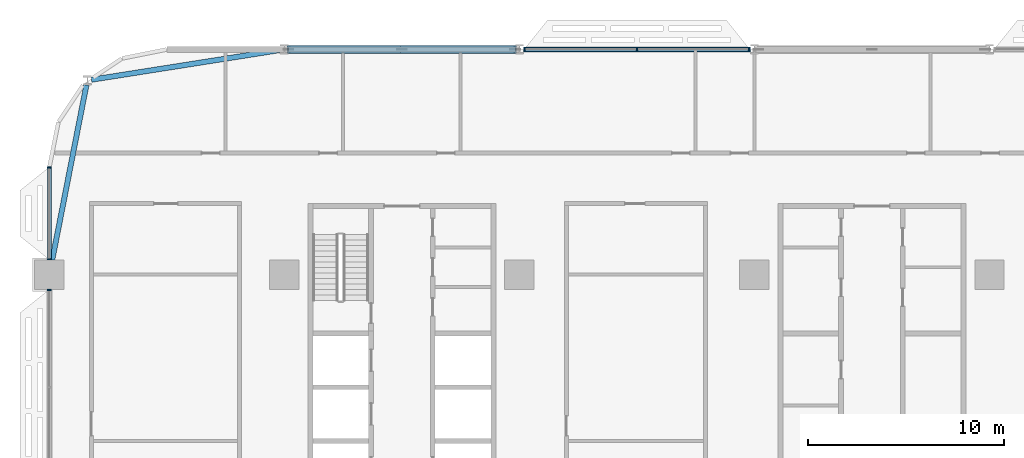
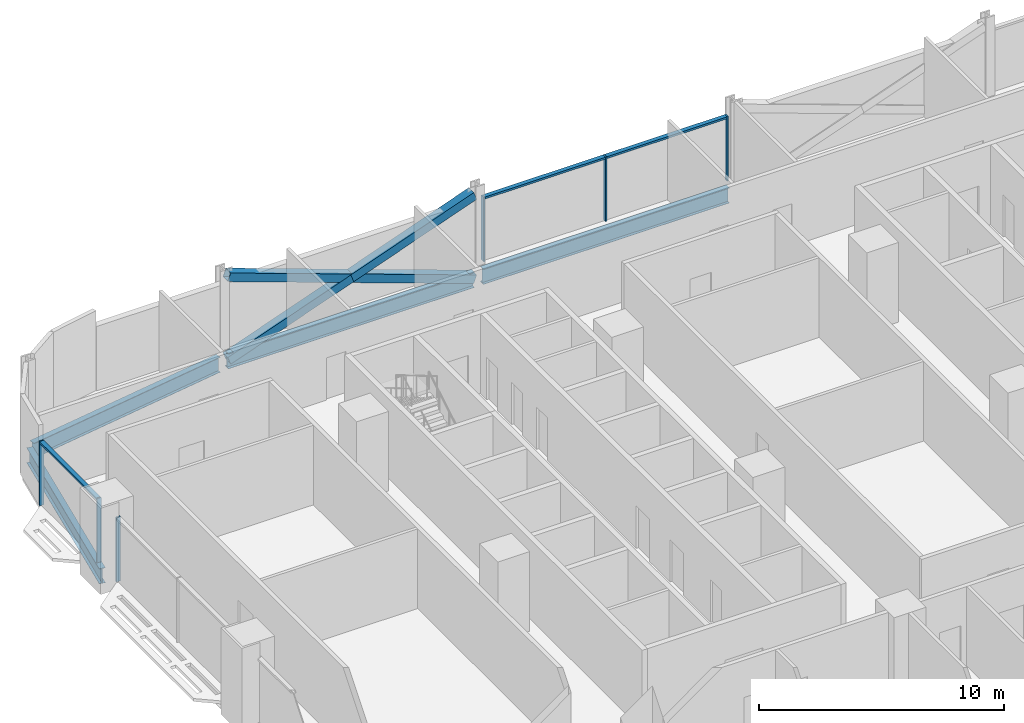
# One storey, part 6 of 30: 12 members, 4 beams, 3 elements without a shape of their own.
"""IFC4 building model written with IfcOpenShell, lengths in metres."""

from ifc_helpers import new_model, si_unit, direction, frame, origin, origin_2d, place, context, subcontext, project, spatial, rectangle, hollow_rectangle, i_section, extrude, material, material_profile, profile_set, type_object, element, aggregate, save


model = new_model("IFC4")

# Units and contexts
model_context = context("Model", 3, precision=1e-05, world=origin(), true_north=direction((0.0, 1.0)))
body_context = subcontext(model_context, "Body", "Model", "MODEL_VIEW")
ifc_project = project(units=[si_unit("LENGTHUNIT", "METRE"), si_unit("AREAUNIT", "SQUARE_METRE"), si_unit("VOLUMEUNIT", "CUBIC_METRE"), si_unit("PLANEANGLEUNIT", "RADIAN"), si_unit("MASSUNIT", "GRAM", prefix="KILO")], contexts=[model_context])

# Site, building, storey
site_placement = place(None, origin())
site = spatial("IfcSite", under=ifc_project, at=site_placement, CompositionType="ELEMENT")
building_placement = place(site_placement, origin())
building = spatial("IfcBuilding", under=site, at=building_placement, Name="Mahtab Terrace Research Tower", CompositionType="ELEMENT")
storey_placement = place(building_placement, frame((0.0, 0.0, 50.300048828125)))
storey = spatial("IfcBuildingStorey", under=building, at=storey_placement, Name="L11", CompositionType="ELEMENT", Elevation=50.300048828125)

# Members
ifc_material_1 = material(Name="Steel ASTM A500 Gr C", Category="steel")
ifc_material_profile_1 = material_profile(ifc_material_1, hollow_rectangle(XDim=0.406494140625, YDim=0.406494140625, WallThickness=0.01904296875, at=origin_2d()), Name="HSS16X16X3/4")
ifc_profile_set_1 = profile_set([ifc_material_profile_1], Name="Steel ASTM A500 Gr C")
member_type_1 = type_object("IfcMemberType", Name="HSS 16x16x3/4 brace XB161634", PredefinedType="BRACE", material=ifc_profile_set_1)
member_1_placement = place(storey_placement, frame((-18.212158203125, 23.0, -0.642578125), z_axis=(-0.94138021482, 0.0, 0.33734743388), x_axis=(0.0, -1.0, 0.0)))
element("IfcMember", 1, at=member_1_placement, inside=storey, type_object=member_type_1, Name="Exoskeleton brace L11 07 a", PredefinedType="BRACE", context=body_context, shape_type="SweptSolid", body=[
    extrude(hollow_rectangle(XDim=0.406494140625, YDim=0.406494140625, WallThickness=0.01904296875, at=origin_2d()), origin(), (0.0, 0.0, 1.0), 12.29638671875),
])
for number, where, z_axis, x_axis, name in (
    (2, (-29.787841796875, 23.0, -0.642578125), (0.941386519928, 0.0, 0.337329838731), (0.0, 1.0, 0.0), "Exoskeleton brace L11 07 b1"),
    (3, (-24.0, 23.0, 1.431396484375), (0.941373909467, 0.0, 0.337365028677), (0.0, 1.0, 0.0), "Exoskeleton brace L11 07 b2"),
):
    element("IfcMember", number, at=place(storey_placement, frame(where, z_axis=z_axis, x_axis=x_axis)), inside=storey, type_object=member_type_1, Name=name, PredefinedType="BRACE", context=body_context, shape_type="SweptSolid", body=[
        extrude(hollow_rectangle(XDim=0.406494140625, YDim=0.406494140625, WallThickness=0.01904296875, at=origin_2d()), origin(), (0.0, 0.0, 1.0), 6.148193359375),
    ])

# Curtain wall, members
ifc_material_2 = material(Name="Laboratory ribbon curtain wall")
curtain_wall_type = type_object("IfcCurtainWallType", Name="Laboratory ribbon curtain wall", PredefinedType="NOTDEFINED", material=ifc_material_2)
curtain_wall_1_placement = place(storey_placement, origin())
curtain_wall_1 = element("IfcCurtainWall", 4, at=curtain_wall_1_placement, inside=storey, type_object=curtain_wall_type, Name="EN.L11.3.8", PredefinedType="NOTDEFINED")
ifc_material_3 = material(Name="Natural anodised aluminium", Category="aluminium")
ifc_material_profile_2 = material_profile(ifc_material_3, rectangle(XDim=0.199951171875, YDim=0.06494140625, at=origin_2d()), Name="MULLION 65x200")
ifc_profile_set_2 = profile_set([ifc_material_profile_2], Name="Natural anodised aluminium")
member_type_2 = type_object("IfcMemberType", Name="Laboratory ribbon curtain wall mullion", PredefinedType="MULLION", material=ifc_profile_set_2)
member_2_placement = place(storey_placement, frame((-6.2705078125, 23.0, 0.0), z_axis=(0.0, 0.0, 1.0), x_axis=(0.0, -1.0, 0.0)))
member_2 = element("IfcMember", 5, at=member_2_placement, type_object=member_type_2, Name="CWL-2 mullion 1", PredefinedType="MULLION", context=body_context, shape_type="SweptSolid", body=[
    extrude(rectangle(XDim=0.199951171875, YDim=0.06494140625, at=origin_2d()), origin(), (0.0, 0.0, 1.0), 3.203125),
])
member_3_placement = place(storey_placement, frame((-12.0, 23.0, 0.0), z_axis=(0.0, 0.0, 1.0), x_axis=(0.0, -1.0, 0.0)))
member_3 = element("IfcMember", 6, at=member_3_placement, type_object=member_type_2, Name="CWL-2 mullion 2", PredefinedType="MULLION", context=body_context, shape_type="SweptSolid", body=[
    extrude(rectangle(XDim=0.199951171875, YDim=0.06494140625, at=origin_2d()), origin(), (0.0, 0.0, 1.0), 3.203125),
])
member_4_placement = place(storey_placement, frame((-17.7294921875, 23.0, 0.0), z_axis=(0.0, 0.0, 1.0), x_axis=(0.0, -1.0, 0.0)))
member_4 = element("IfcMember", 7, at=member_4_placement, type_object=member_type_2, Name="CWL-2 mullion 3", PredefinedType="MULLION", context=body_context, shape_type="SweptSolid", body=[
    extrude(rectangle(XDim=0.199951171875, YDim=0.06494140625, at=origin_2d()), origin(), (0.0, 0.0, 1.0), 3.203125),
])

curtain_wall_2_placement = place(storey_placement, origin())
curtain_wall_2 = element("IfcCurtainWall", 8, at=curtain_wall_2_placement, inside=storey, type_object=curtain_wall_type, Name="EN.L11.8.15", PredefinedType="NOTDEFINED")
member_5_placement = place(storey_placement, frame((-42.0, 16.967529296875, 0.0), z_axis=(0.0, 0.0, 1.0), x_axis=(1.0, 0.0, 0.0)))
member_5 = element("IfcMember", 9, at=member_5_placement, type_object=member_type_2, Name="CWL-2 mullion 1", PredefinedType="MULLION", context=body_context, shape_type="SweptSolid", body=[
    extrude(rectangle(XDim=0.199951171875, YDim=0.06494140625, at=origin_2d()), origin(), (0.0, 0.0, 1.0), 3.203125),
])
member_6_placement = place(storey_placement, frame((-42.0, 12.282470703125, 0.0), z_axis=(0.0, 0.0, 1.0), x_axis=(1.0, 0.0, 0.0)))
member_6 = element("IfcMember", 10, at=member_6_placement, type_object=member_type_2, Name="CWL-2 mullion 2", PredefinedType="MULLION", context=body_context, shape_type="SweptSolid", body=[
    extrude(rectangle(XDim=0.199951171875, YDim=0.06494140625, at=origin_2d()), origin(), (0.0, 0.0, 1.0), 3.203125),
])

# Curtain wall, member
curtain_wall_3_placement = place(storey_placement, origin())
curtain_wall_3 = element("IfcCurtainWall", 11, at=curtain_wall_3_placement, inside=storey, type_object=curtain_wall_type, Name="EN.L11.8.16", PredefinedType="NOTDEFINED")
member_7_placement = place(storey_placement, frame((-42.0, 10.717529296875, 0.0), z_axis=(0.0, 0.0, 1.0), x_axis=(1.0, 0.0, 0.0)))
member_7 = element("IfcMember", 12, at=member_7_placement, type_object=member_type_2, Name="CWL-2 mullion 1", PredefinedType="MULLION", context=body_context, shape_type="SweptSolid", body=[
    extrude(rectangle(XDim=0.199951171875, YDim=0.06494140625, at=origin_2d()), origin(), (0.0, 0.0, 1.0), 3.203125),
])
aggregate(curtain_wall_3, [member_7])

# Member
ifc_material_profile_3 = material_profile(ifc_material_3, rectangle(XDim=0.199951171875, YDim=0.10009765625, at=origin_2d()), Name="TRANSOM 100x200")
ifc_profile_set_3 = profile_set([ifc_material_profile_3], Name="Natural anodised aluminium")
member_type_3 = type_object("IfcMemberType", Name="Laboratory ribbon curtain wall transom", PredefinedType="USERDEFINED", material=ifc_profile_set_3)
member_8_placement = place(storey_placement, frame((-6.302978515625, 23.0, 3.153076171875), z_axis=(-1.0, 0.0, 0.0), x_axis=(0.0, -1.0, 0.0)))
member_8 = element("IfcMember", 13, at=member_8_placement, type_object=member_type_3, Name="CWL-2 transom 1", ObjectType="TRANSOM", PredefinedType="USERDEFINED", context=body_context, shape_type="SweptSolid", body=[
    extrude(rectangle(XDim=0.199951171875, YDim=0.10009765625, at=origin_2d()), origin(), (0.0, 0.0, 1.0), 5.66455078125),
])

member_9_placement = place(storey_placement, frame((-12.032470703125, 23.0, 3.153076171875), z_axis=(-1.0, 0.0, 0.0), x_axis=(0.0, -1.0, 0.0)))
member_9 = element("IfcMember", 14, at=member_9_placement, type_object=member_type_3, Name="CWL-2 transom 2", ObjectType="TRANSOM", PredefinedType="USERDEFINED", context=body_context, shape_type="SweptSolid", body=[
    extrude(rectangle(XDim=0.199951171875, YDim=0.10009765625, at=origin_2d()), origin(), (0.0, 0.0, 1.0), 5.66455078125),
])

aggregate(curtain_wall_1, [member_2, member_3, member_4, member_8, member_9])

member_10_placement = place(storey_placement, frame((-42.0, 16.93505859375, 3.153076171875), z_axis=(0.0, -1.0, 0.0), x_axis=(1.0, 0.0, 0.0)))
member_10 = element("IfcMember", 15, at=member_10_placement, type_object=member_type_3, Name="CWL-2 transom 1", ObjectType="TRANSOM", PredefinedType="USERDEFINED", context=body_context, shape_type="SweptSolid", body=[
    extrude(rectangle(XDim=0.199951171875, YDim=0.10009765625, at=origin_2d()), origin(), (0.0, 0.0, 1.0), 4.6201171875),
])

aggregate(curtain_wall_2, [member_5, member_6, member_10])

# Beams
ifc_material_4 = material(Name="Steel ASTM A992 Gr 50", Category="steel")
ifc_material_profile_4 = material_profile(ifc_material_4, i_section(OverallWidth=0.2666015625, OverallDepth=0.7568359375, WebThickness=0.013916015625, FlangeThickness=0.019287109375, at=origin_2d()), Name="W30X108")
ifc_profile_set_4 = profile_set([ifc_material_profile_4], Name="Steel ASTM A992 Gr 50")
beam_type = type_object("IfcBeamType", Name="W30x108 beam BS30108", PredefinedType="BEAM", material=ifc_profile_set_4)
for number, where, z_axis, x_axis, name in (
    (16, (-6.212158203125, 23.0, -0.718505859375), (-1.0, 0.0, 0.0), (0.0, -1.0, 0.0), "Spandrel beam L11 06"),
    (17, (-18.212158203125, 23.0, -0.718505859375), (-1.0, 0.0, 0.0), (0.0, -1.0, 0.0), "Spandrel beam L11 07"),
):
    element("IfcBeam", number, at=place(storey_placement, frame(where, z_axis=z_axis, x_axis=x_axis)), inside=storey, type_object=beam_type, Name=name, PredefinedType="BEAM", context=body_context, shape_type="SweptSolid", body=[
        extrude(i_section(OverallWidth=0.2666015625, OverallDepth=0.7568359375, WebThickness=0.013916015625, FlangeThickness=0.019287109375, at=origin_2d()), origin(), (0.0, 0.0, 1.0), 11.57568359375),
    ])
beam_1_placement = place(storey_placement, frame((-30.212158203125, 22.966552734375, -0.718505859375), z_axis=(-0.987836303792, -0.155497385545, 0.0), x_axis=(0.155497385545, -0.987836303792, 0.0)))
element("IfcBeam", 18, at=beam_1_placement, inside=storey, type_object=beam_type, Name="Spandrel beam L11 08", PredefinedType="BEAM", context=body_context, shape_type="SweptSolid", body=[
    extrude(i_section(OverallWidth=0.2666015625, OverallDepth=0.7568359375, WebThickness=0.013916015625, FlangeThickness=0.019287109375, at=origin_2d()), origin(), (0.0, 0.0, 1.0), 9.75634765625),
])
beam_2_placement = place(storey_placement, frame((-40.1083984375, 21.178466796875, -0.718505859375), z_axis=(-0.191825617976, -0.981429025599, 0.0), x_axis=(0.981429025599, -0.191825617976, 0.0)))
element("IfcBeam", 19, at=beam_2_placement, inside=storey, type_object=beam_type, Name="Spandrel beam L11 09", PredefinedType="BEAM", context=body_context, shape_type="SweptSolid", body=[
    extrude(i_section(OverallWidth=0.2666015625, OverallDepth=0.7568359375, WebThickness=0.013916015625, FlangeThickness=0.019287109375, at=origin_2d()), origin(), (0.0, 0.0, 1.0), 9.097412109375),
])

save(model, "model.ifc")
